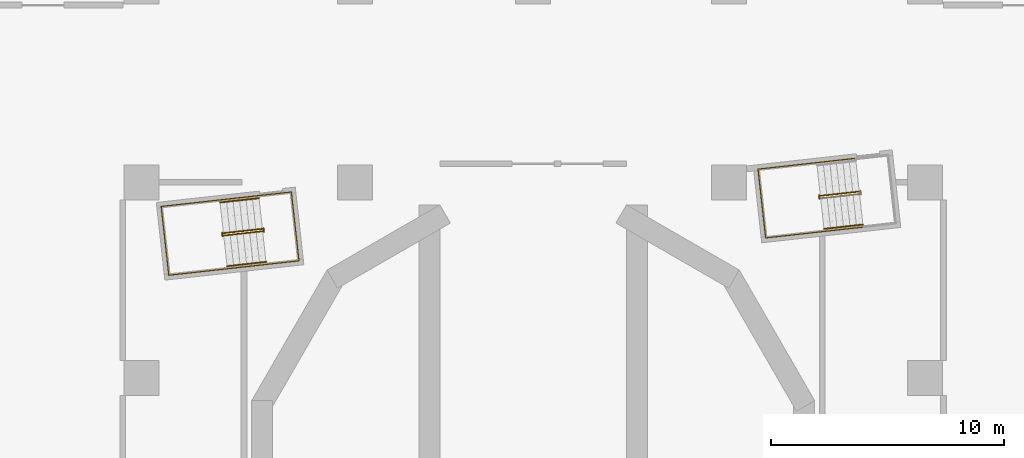
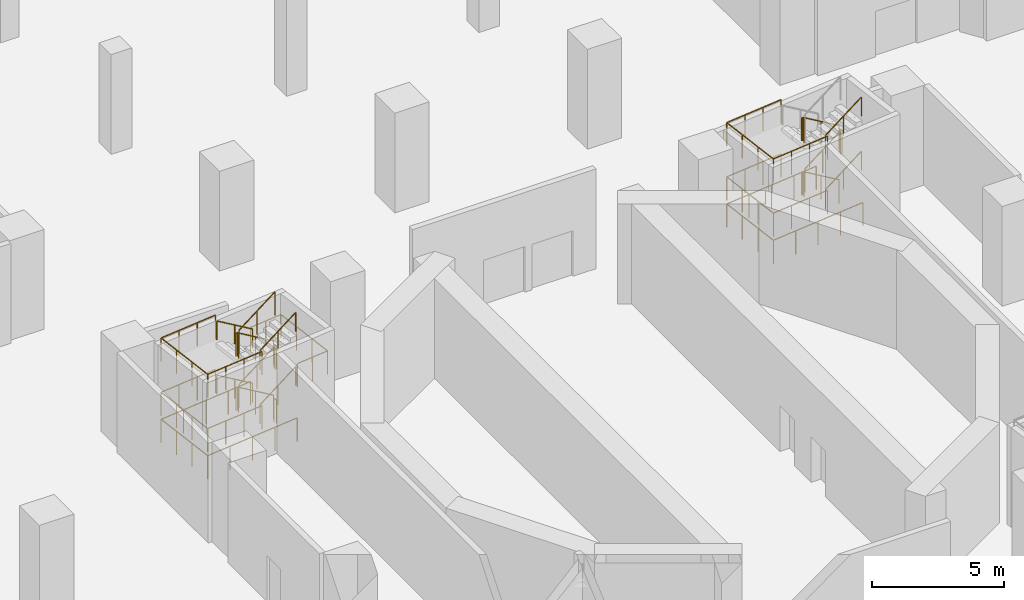
# One storey, part 15 of 20: 21 railings.
"""IFC4 building model written with IfcOpenShell, lengths in metres."""

import ifcopenshell
import ifcopenshell.guid

model = None  # the IFC model being written
_history = None  # IfcOwnerHistory: only IFC2X3 demands one
_inside = {}  # id of a spatial element -> (the spatial element, [elements in it])
_under = {}  # id of a project, library or spatial element -> (it, [spatial elements below it])
_declared = {}  # id of a project -> (the project, [libraries it declares])
_typed = {}  # id of a type object -> (the type object, [elements of that type])
_made_of = {}  # id of a material, layer set ... -> (it, [elements and type objects made of it])


def new_model(schema):
    """Start an empty IFC model of exactly this schema.

    Asked for "IFC4X3", IfcOpenShell would pick the latest addendum, in which some entities
    have other attributes; the version numbers below select the first issue.
    IFC2X3 requires an IfcOwnerHistory on every rooted entity: one is made here for all.
    """
    global model, _history
    if schema == "IFC4X3":
        model = ifcopenshell.file(schema_version=(4, 3, 0, 0))
    else:
        model = ifcopenshell.file(schema=schema)
    _inside.clear()
    _under.clear()
    _declared.clear()
    _typed.clear()
    _made_of.clear()
    _history = None
    if model.schema == "IFC2X3":
        org = make("IfcOrganization", Name="unknown")
        user = make(
            "IfcPersonAndOrganization",
            ThePerson=make("IfcPerson", FamilyName="unknown"),
            TheOrganization=org,
        )
        app = make(
            "IfcApplication",
            ApplicationDeveloper=org,
            Version="unknown",
            ApplicationFullName="unknown",
            ApplicationIdentifier="unknown",
        )
        _history = make(
            "IfcOwnerHistory",
            OwningUser=user,
            OwningApplication=app,
            ChangeAction="ADDED",
            CreationDate=0,
        )
    return model


def make(cls, **values):
    """One entity of the class cls with the attributes given. An attribute that is None is left unset."""
    return model.create_entity(
        cls, **{name: value for name, value in values.items() if value is not None}
    )


def rooted(cls, **values):
    """An entity with a GlobalId (a new one), such as an element, a storey or a relation."""
    return make(cls, GlobalId=ifcopenshell.guid.new(), OwnerHistory=_history, **values)


def si_unit(unit_type, name, prefix=None):
    """IfcSIUnit, for example si_unit("LENGTHUNIT", "METRE", prefix="MILLI")."""
    return make("IfcSIUnit", UnitType=unit_type, Prefix=prefix, Name=name)


def assignment(units):
    """IfcUnitAssignment: the units of a project."""
    return None if units is None else make("IfcUnitAssignment", Units=units)


def point(xyz):
    """IfcCartesianPoint."""
    return None if xyz is None else make("IfcCartesianPoint", Coordinates=xyz)


def direction(xyz):
    """IfcDirection."""
    return None if xyz is None else make("IfcDirection", DirectionRatios=xyz)


def frame(location, z_axis=None, x_axis=None):
    """IfcAxis2Placement3D, a coordinate frame: its origin and axes. An axis left out is left unset."""
    return make(
        "IfcAxis2Placement3D",
        Location=point(location),
        Axis=direction(z_axis),
        RefDirection=direction(x_axis),
    )


def frame_2d(location, x_axis=None):
    """IfcAxis2Placement2D, a coordinate frame in the plane: its origin and x axis."""
    return make(
        "IfcAxis2Placement2D", Location=point(location), RefDirection=direction(x_axis)
    )


def origin():
    """The frame at (0, 0, 0) with its axes left unset."""
    return frame((0.0, 0.0, 0.0))


def origin_2d():
    """The frame at (0, 0) in the plane with its x axis left unset."""
    return frame_2d((0.0, 0.0))


def place(relative_to, where):
    """IfcLocalPlacement: puts the frame where relative to a parent placement (None: the world)."""
    return make(
        "IfcLocalPlacement", PlacementRelTo=relative_to, RelativePlacement=where
    )


def context(
    kind, dimensions, precision=None, world=None, true_north=None, identifier=None
):
    """IfcGeometricRepresentationContext, for example the 3D "Model" context."""
    return make(
        "IfcGeometricRepresentationContext",
        ContextIdentifier=identifier,
        ContextType=kind,
        CoordinateSpaceDimension=dimensions,
        Precision=precision,
        WorldCoordinateSystem=world,
        TrueNorth=true_north,
    )


def subcontext(parent, identifier, kind, view, scale=None):
    """IfcGeometricRepresentationSubContext, for example "Body" below "Model"."""
    return make(
        "IfcGeometricRepresentationSubContext",
        ContextIdentifier=identifier,
        ContextType=kind,
        ParentContext=parent,
        TargetScale=scale,
        TargetView=view,
    )


def project(units=None, contexts=None):
    """IfcProject with its units and contexts."""
    return rooted(
        "IfcProject",
        Name="project",
        RepresentationContexts=contexts,
        UnitsInContext=assignment(units),
    )


def spatial(cls, under=None, at=None, **own):
    """A site, building, storey or space (cls), placed at a placement, below another one or the project."""
    s = rooted(cls, ObjectPlacement=at, **own)
    if under is not None:
        _under.setdefault(under.id(), (under, []))[1].append(s)
    return s


def profile(cls, at=None, kind="AREA", **sizes):
    """A parametric profile (cls). Its sizes go by their IFC names, for example OverallWidth=200.0."""
    return make(cls, ProfileType=kind, Position=at, **sizes)


def circle(**sizes):
    """IfcCircleProfileDef."""
    return profile("IfcCircleProfileDef", **sizes)


def extrude(swept, where, along, depth):
    """IfcExtrudedAreaSolid: the profile swept, set in the frame where, extruded along a direction by depth."""
    return make(
        "IfcExtrudedAreaSolid",
        SweptArea=swept,
        Position=where,
        ExtrudedDirection=direction(along),
        Depth=depth,
    )


def shape(context_of_items, identifier, shape_type, items):
    """IfcShapeRepresentation: the items that make up one representation, for example the "Body"."""
    return make(
        "IfcShapeRepresentation",
        ContextOfItems=context_of_items,
        RepresentationIdentifier=identifier,
        RepresentationType=shape_type,
        Items=items,
    )


def material(Name=None, Category=None):
    """IfcMaterial."""
    return make("IfcMaterial", Name=Name, Category=Category)


def made_of(thing, what):
    """Note that an element or type object is made of a material, layer set ...; save() writes the relation."""
    if what is not None:
        _made_of.setdefault(what.id(), (what, []))[1].append(thing)
    return thing


def type_object(cls, material=None, **own):
    """A type object (cls), such as IfcWallType, which elements share."""
    return made_of(rooted(cls, **own), material)


def element(
    cls,
    number,
    at=None,
    inside=None,
    cuts=None,
    type_object=None,
    material=None,
    context=None,
    identifier="Body",
    shape_type=None,
    held_by="IfcProductDefinitionShape",
    body=None,
    shapes=None,
    **own,
):
    """One element of the class cls, such as IfcWall. Its Tag is "e" and its number.

    at: its placement. inside: the storey or other place that contains it. cuts: it is an
    opening in that element (IfcRelVoidsElement). A single representation is given by context,
    identifier, shape_type and body (its items); several are given by shapes. held_by: the class
    of the entity that holds the representations. save() writes the other relations.
    """
    e = rooted(cls, Tag="e%d" % number, ObjectPlacement=at, **own)
    if body is not None:
        shapes = [shape(context, identifier, shape_type, body)]
    if shapes is not None:
        e.Representation = make(held_by, Representations=shapes)
    if inside is not None:
        _inside.setdefault(inside.id(), (inside, []))[1].append(e)
    if cuts is not None:
        rooted(
            "IfcRelVoidsElement", RelatingBuildingElement=cuts, RelatedOpeningElement=e
        )
    if type_object is not None:
        _typed.setdefault(type_object.id(), (type_object, []))[1].append(e)
    return made_of(e, material)


def aggregate(whole, parts):
    """IfcRelAggregates: a whole, such as a stair, and the parts it consists of."""
    return rooted("IfcRelAggregates", RelatingObject=whole, RelatedObjects=parts)


def save(model, path):
    """Write the relations noted so far, then the file.

    IfcRelAggregates (storeys below a building ...), IfcRelContainedInSpatialStructure (elements
    in a storey), IfcRelDefinesByType, IfcRelAssociatesMaterial and IfcRelDeclares: one each for
    every whole, place, type object, material and project.
    """
    for whole, parts in _under.values():
        aggregate(whole, parts)
    for where, things in _inside.values():
        rooted(
            "IfcRelContainedInSpatialStructure",
            RelatedElements=things,
            RelatingStructure=where,
        )
    for kind, things in _typed.values():
        rooted("IfcRelDefinesByType", RelatedObjects=things, RelatingType=kind)
    for what, things in _made_of.values():
        rooted("IfcRelAssociatesMaterial", RelatedObjects=things, RelatingMaterial=what)
    for by, libraries in _declared.values():
        rooted("IfcRelDeclares", RelatingContext=by, RelatedDefinitions=libraries)
    model.write(path)


model = new_model("IFC4")

# Units and contexts
model_context = context("Model", 3, precision=1e-05, world=origin(), true_north=direction((0.0, 1.0)))
body_context = subcontext(model_context, "Body", "Model", "MODEL_VIEW")
ifc_project = project(units=[si_unit("LENGTHUNIT", "METRE"), si_unit("AREAUNIT", "SQUARE_METRE"), si_unit("VOLUMEUNIT", "CUBIC_METRE"), si_unit("PLANEANGLEUNIT", "RADIAN"), si_unit("MASSUNIT", "GRAM", prefix="KILO")], contexts=[model_context])

# Site, building, storey
site_placement = place(None, origin())
site = spatial("IfcSite", under=ifc_project, at=site_placement, CompositionType="ELEMENT")
building_placement = place(site_placement, origin())
building = spatial("IfcBuilding", under=site, at=building_placement, Name="Cantera Rosa Tower", CompositionType="ELEMENT")
storey_placement = place(building_placement, frame((0.0, 0.0, -5.0)))
storey = spatial("IfcBuildingStorey", under=building, at=storey_placement, Name="B1", CompositionType="ELEMENT", Elevation=-5.0)

# Railings
ifc_material_1 = material(Name="Steel S355J2 (EN 10025-2)", Category="steel")
railing_type_1 = type_object("IfcRailingType", Name="STAIR GUARD 1100", PredefinedType="GUARDRAIL", material=ifc_material_1)
railing_1_placement = place(storey_placement, frame((13.986083984375, 12.203125, 0.178466796875)))
element("IfcRailing", 1, at=railing_1_placement, inside=storey, type_object=railing_type_1, Name="B1 ST-11 stair guard 1", PredefinedType="GUARDRAIL", context=body_context, shape_type="SweptSolid", body=[
    extrude(circle(Radius=0.02392578125, at=origin_2d()), frame((0.0, 0.0, 1.076171875), z_axis=(-0.837950904326, -0.092996744609, 0.537763784046), x_axis=(0.110303920128, -0.993897904819, 0.0)), (0.0, 0.0, 1.0), 1.99267578125),
    extrude(circle(Radius=0.02392578125, at=origin_2d()), frame((-1.669677734375, -0.185302734375, 2.1474609375), z_axis=(-0.933456941688, 0.358689472963, 0.0), x_axis=(-0.358689472963, -0.933456941688, 0.0)), (0.0, 0.0, 1.0), 0.056396484375),
    extrude(circle(Radius=0.02392578125, at=origin_2d()), frame((-1.722412109375, -0.1650390625, 2.1474609375), z_axis=(0.110789159685, -0.993843932464, 0.0), x_axis=(0.993843932464, 0.110789159685, 0.0)), (0.0, 0.0, 1.0), 0.14990234375),
    extrude(circle(Radius=0.02099609375, at=origin_2d()), origin(), (0.0, 0.0, 1.0), 1.052001953125),
    extrude(circle(Radius=0.02099609375, at=origin_2d()), frame((-0.8349609375, -0.0927734375, 0.53564453125)), (0.0, 0.0, 1.0), 1.052001953125),
    extrude(circle(Radius=0.02099609375, at=origin_2d()), frame((-1.669677734375, -0.185302734375, 1.071533203125)), (0.0, 0.0, 1.0), 1.052001953125),
    extrude(circle(Radius=0.02099609375, at=origin_2d()), frame((-1.722412109375, -0.1650390625, 1.071533203125)), (0.0, 0.0, 1.0), 1.052001953125),
    extrude(circle(Radius=0.02099609375, at=origin_2d()), frame((-1.705810546875, -0.31396484375, 1.071533203125)), (0.0, 0.0, 1.0), 1.052001953125),
])
railing_2_placement = place(storey_placement, frame((12.3271484375, 11.92041015625, 1.428466796875)))
element("IfcRailing", 2, at=railing_2_placement, inside=storey, type_object=railing_type_1, Name="B1 ST-11 stair guard 2", PredefinedType="GUARDRAIL", context=body_context, shape_type="SweptSolid", body=[
    extrude(circle(Radius=0.02392578125, at=origin_2d()), frame((0.0, 0.0, 1.076171875), z_axis=(0.837950904326, 0.092996744609, 0.537763784046), x_axis=(-0.110303920128, 0.993897904819, 0.0)), (0.0, 0.0, 1.0), 1.99267578125),
    extrude(circle(Radius=0.02392578125, at=origin_2d()), frame((1.669677734375, 0.185302734375, 2.1474609375), z_axis=(0.932897555956, -0.360141847183, 0.0), x_axis=(0.360141847183, 0.932897555956, 0.0)), (0.0, 0.0, 1.0), 0.05615234375),
    extrude(circle(Radius=0.02392578125, at=origin_2d()), frame((1.72216796875, 0.1650390625, 2.1474609375), z_axis=(-0.109179471459, 0.994022053584, 0.0), x_axis=(-0.994022053584, -0.109179471459, 0.0)), (0.0, 0.0, 1.0), 0.14990234375),
    extrude(circle(Radius=0.02099609375, at=origin_2d()), origin(), (0.0, 0.0, 1.0), 1.052001953125),
    extrude(circle(Radius=0.02099609375, at=origin_2d()), frame((0.8349609375, 0.0927734375, 0.53564453125)), (0.0, 0.0, 1.0), 1.052001953125),
    extrude(circle(Radius=0.02099609375, at=origin_2d()), frame((1.669677734375, 0.185302734375, 1.071533203125)), (0.0, 0.0, 1.0), 1.052001953125),
    extrude(circle(Radius=0.02099609375, at=origin_2d()), frame((1.72216796875, 0.1650390625, 1.071533203125)), (0.0, 0.0, 1.0), 1.052001953125),
    extrude(circle(Radius=0.02099609375, at=origin_2d()), frame((1.705810546875, 0.31396484375, 1.071533203125)), (0.0, 0.0, 1.0), 1.052001953125),
])
railing_3_placement = place(storey_placement, frame((13.986083984375, 12.203125, 2.678466796875)))
element("IfcRailing", 3, at=railing_3_placement, inside=storey, type_object=railing_type_1, Name="B1 ST-11 stair guard 3", PredefinedType="GUARDRAIL", context=body_context, shape_type="SweptSolid", body=[
    extrude(circle(Radius=0.02392578125, at=origin_2d()), frame((0.0, 0.0, 1.076171875), z_axis=(-0.837950904326, -0.092996744609, 0.537763784046), x_axis=(0.110303920128, -0.993897904819, 0.0)), (0.0, 0.0, 1.0), 1.99267578125),
    extrude(circle(Radius=0.02392578125, at=origin_2d()), frame((-1.669677734375, -0.185302734375, 2.1474609375), z_axis=(-0.933456941688, 0.358689472963, 0.0), x_axis=(-0.358689472963, -0.933456941688, 0.0)), (0.0, 0.0, 1.0), 0.056396484375),
    extrude(circle(Radius=0.02392578125, at=origin_2d()), frame((-1.722412109375, -0.1650390625, 2.1474609375), z_axis=(0.110789159685, -0.993843932464, 0.0), x_axis=(0.993843932464, 0.110789159685, 0.0)), (0.0, 0.0, 1.0), 0.14990234375),
    extrude(circle(Radius=0.02099609375, at=origin_2d()), origin(), (0.0, 0.0, 1.0), 1.052001953125),
    extrude(circle(Radius=0.02099609375, at=origin_2d()), frame((-0.8349609375, -0.0927734375, 0.53564453125)), (0.0, 0.0, 1.0), 1.052001953125),
    extrude(circle(Radius=0.02099609375, at=origin_2d()), frame((-1.669677734375, -0.185302734375, 1.071533203125)), (0.0, 0.0, 1.0), 1.052001953125),
    extrude(circle(Radius=0.02099609375, at=origin_2d()), frame((-1.722412109375, -0.1650390625, 1.071533203125)), (0.0, 0.0, 1.0), 1.052001953125),
    extrude(circle(Radius=0.02099609375, at=origin_2d()), frame((-1.705810546875, -0.31396484375, 1.071533203125)), (0.0, 0.0, 1.0), 1.052001953125),
])
railing_4_placement = place(storey_placement, frame((13.815673828125, 13.629150390625, 0.0)))
element("IfcRailing", 4, at=railing_4_placement, inside=storey, type_object=railing_type_1, Name="B1 ST-11 stair guard 6", PredefinedType="GUARDRAIL", context=body_context, shape_type="SweptSolid", body=[
    extrude(circle(Radius=0.02392578125, at=origin_2d()), frame((0.0, 0.0, 1.076171875), z_axis=(-0.9938957856, -0.110323013767, 0.0), x_axis=(0.110323013767, -0.9938957856, 0.0)), (0.0, 0.0, 1.0), 4.197998046875),
    extrude(circle(Radius=0.02392578125, at=origin_2d()), frame((-4.17236328125, -0.463134765625, 1.076171875), z_axis=(0.110314237986, -0.993896759678, 0.0), x_axis=(0.993896759678, 0.110314237986, 0.0)), (0.0, 0.0, 1.0), 2.969970703125),
    extrude(circle(Radius=0.02392578125, at=origin_2d()), frame((-3.8447265625, -3.4150390625, 1.076171875), z_axis=(0.9938957856, 0.110323013767, 0.0), x_axis=(-0.110323013767, 0.9938957856, 0.0)), (0.0, 0.0, 1.0), 4.197998046875),
    extrude(circle(Radius=0.02099609375, at=origin_2d()), origin(), (0.0, 0.0, 1.0), 1.052001953125),
    extrude(circle(Radius=0.02099609375, at=origin_2d()), frame((-1.04296875, -0.11572265625, 0.0)), (0.0, 0.0, 1.0), 1.052001953125),
    extrude(circle(Radius=0.02099609375, at=origin_2d()), frame((-2.086181640625, -0.2314453125, 0.0)), (0.0, 0.0, 1.0), 1.052001953125),
    extrude(circle(Radius=0.02099609375, at=origin_2d()), frame((-3.12939453125, -0.347412109375, 0.0)), (0.0, 0.0, 1.0), 1.052001953125),
    extrude(circle(Radius=0.02099609375, at=origin_2d()), frame((-4.17236328125, -0.463134765625, 0.0)), (0.0, 0.0, 1.0), 1.052001953125),
    extrude(circle(Radius=0.02099609375, at=origin_2d()), frame((-4.063232421875, -1.447021484375, 0.0)), (0.0, 0.0, 1.0), 1.052001953125),
    extrude(circle(Radius=0.02099609375, at=origin_2d()), frame((-3.953857421875, -2.43115234375, 0.0)), (0.0, 0.0, 1.0), 1.052001953125),
    extrude(circle(Radius=0.02099609375, at=origin_2d()), frame((-3.8447265625, -3.4150390625, 0.0)), (0.0, 0.0, 1.0), 1.052001953125),
    extrude(circle(Radius=0.02099609375, at=origin_2d()), frame((-2.8017578125, -3.29931640625, 0.0)), (0.0, 0.0, 1.0), 1.052001953125),
    extrude(circle(Radius=0.02099609375, at=origin_2d()), frame((-1.758544921875, -3.18359375, 0.0)), (0.0, 0.0, 1.0), 1.052001953125),
    extrude(circle(Radius=0.02099609375, at=origin_2d()), frame((-0.71533203125, -3.067626953125, 0.0)), (0.0, 0.0, 1.0), 1.052001953125),
    extrude(circle(Radius=0.02099609375, at=origin_2d()), frame((0.32763671875, -2.951904296875, 0.0)), (0.0, 0.0, 1.0), 1.052001953125),
])
railing_5_placement = place(storey_placement, frame((12.169921875, 13.4462890625, 1.25)))
element("IfcRailing", 5, at=railing_5_placement, inside=storey, type_object=railing_type_1, Name="B1 ST-11 stair guard 7", PredefinedType="GUARDRAIL", context=body_context, shape_type="SweptSolid", body=[
    extrude(circle(Radius=0.02392578125, at=origin_2d()), frame((0.0, 0.0, 1.076171875), z_axis=(-0.993903628964, -0.110252330278, 0.0), x_axis=(0.110252330278, -0.993903628964, 0.0)), (0.0, 0.0, 1.0), 2.5419921875),
    extrude(circle(Radius=0.02392578125, at=origin_2d()), frame((-2.526611328125, -0.2802734375, 1.076171875), z_axis=(0.110314237986, -0.993896759678, 0.0), x_axis=(0.993896759678, 0.110314237986, 0.0)), (0.0, 0.0, 1.0), 2.969970703125),
    extrude(circle(Radius=0.02392578125, at=origin_2d()), frame((-2.198974609375, -3.232177734375, 1.076171875), z_axis=(0.993903628964, 0.110252330278, 0.0), x_axis=(-0.110252330278, 0.993903628964, 0.0)), (0.0, 0.0, 1.0), 2.5419921875),
    extrude(circle(Radius=0.02099609375, at=origin_2d()), origin(), (0.0, 0.0, 1.0), 1.052001953125),
    extrude(circle(Radius=0.02099609375, at=origin_2d()), frame((-0.84228515625, -0.093505859375, 0.0)), (0.0, 0.0, 1.0), 1.052001953125),
    extrude(circle(Radius=0.02099609375, at=origin_2d()), frame((-1.684326171875, -0.186767578125, 0.0)), (0.0, 0.0, 1.0), 1.052001953125),
    extrude(circle(Radius=0.02099609375, at=origin_2d()), frame((-2.526611328125, -0.2802734375, 0.0)), (0.0, 0.0, 1.0), 1.052001953125),
    extrude(circle(Radius=0.02099609375, at=origin_2d()), frame((-2.41748046875, -1.26416015625, 0.0)), (0.0, 0.0, 1.0), 1.052001953125),
    extrude(circle(Radius=0.02099609375, at=origin_2d()), frame((-2.30810546875, -2.248291015625, 0.0)), (0.0, 0.0, 1.0), 1.052001953125),
    extrude(circle(Radius=0.02099609375, at=origin_2d()), frame((-2.198974609375, -3.232177734375, 0.0)), (0.0, 0.0, 1.0), 1.052001953125),
    extrude(circle(Radius=0.02099609375, at=origin_2d()), frame((-1.356689453125, -3.138671875, 0.0)), (0.0, 0.0, 1.0), 1.052001953125),
    extrude(circle(Radius=0.02099609375, at=origin_2d()), frame((-0.5146484375, -3.04541015625, 0.0)), (0.0, 0.0, 1.0), 1.052001953125),
    extrude(circle(Radius=0.02099609375, at=origin_2d()), frame((0.32763671875, -2.951904296875, 0.0)), (0.0, 0.0, 1.0), 1.052001953125),
])
railing_6_placement = place(storey_placement, frame((12.169921875, 13.4462890625, 3.75)))
element("IfcRailing", 6, at=railing_6_placement, inside=storey, type_object=railing_type_1, Name="B1 ST-11 stair guard 9", PredefinedType="GUARDRAIL", context=body_context, shape_type="SweptSolid", body=[
    extrude(circle(Radius=0.02392578125, at=origin_2d()), frame((0.0, 0.0, 1.076171875), z_axis=(-0.993903628964, -0.110252330278, 0.0), x_axis=(0.110252330278, -0.993903628964, 0.0)), (0.0, 0.0, 1.0), 2.5419921875),
    extrude(circle(Radius=0.02392578125, at=origin_2d()), frame((-2.526611328125, -0.2802734375, 1.076171875), z_axis=(0.110314237986, -0.993896759678, 0.0), x_axis=(0.993896759678, 0.110314237986, 0.0)), (0.0, 0.0, 1.0), 2.969970703125),
    extrude(circle(Radius=0.02392578125, at=origin_2d()), frame((-2.198974609375, -3.232177734375, 1.076171875), z_axis=(0.993903628964, 0.110252330278, 0.0), x_axis=(-0.110252330278, 0.993903628964, 0.0)), (0.0, 0.0, 1.0), 2.5419921875),
    extrude(circle(Radius=0.02099609375, at=origin_2d()), origin(), (0.0, 0.0, 1.0), 1.052001953125),
    extrude(circle(Radius=0.02099609375, at=origin_2d()), frame((-0.84228515625, -0.093505859375, 0.0)), (0.0, 0.0, 1.0), 1.052001953125),
    extrude(circle(Radius=0.02099609375, at=origin_2d()), frame((-1.684326171875, -0.186767578125, 0.0)), (0.0, 0.0, 1.0), 1.052001953125),
    extrude(circle(Radius=0.02099609375, at=origin_2d()), frame((-2.526611328125, -0.2802734375, 0.0)), (0.0, 0.0, 1.0), 1.052001953125),
    extrude(circle(Radius=0.02099609375, at=origin_2d()), frame((-2.41748046875, -1.26416015625, 0.0)), (0.0, 0.0, 1.0), 1.052001953125),
    extrude(circle(Radius=0.02099609375, at=origin_2d()), frame((-2.30810546875, -2.248291015625, 0.0)), (0.0, 0.0, 1.0), 1.052001953125),
    extrude(circle(Radius=0.02099609375, at=origin_2d()), frame((-2.198974609375, -3.232177734375, 0.0)), (0.0, 0.0, 1.0), 1.052001953125),
    extrude(circle(Radius=0.02099609375, at=origin_2d()), frame((-1.356689453125, -3.138671875, 0.0)), (0.0, 0.0, 1.0), 1.052001953125),
    extrude(circle(Radius=0.02099609375, at=origin_2d()), frame((-0.5146484375, -3.04541015625, 0.0)), (0.0, 0.0, 1.0), 1.052001953125),
    extrude(circle(Radius=0.02099609375, at=origin_2d()), frame((0.32763671875, -2.951904296875, 0.0)), (0.0, 0.0, 1.0), 1.052001953125),
])
railing_7_placement = place(storey_placement, frame((-11.614013671875, 10.60302734375, 0.178466796875)))
element("IfcRailing", 7, at=railing_7_placement, inside=storey, type_object=railing_type_1, Name="B1 ST-12 stair guard 1", PredefinedType="GUARDRAIL", context=body_context, shape_type="SweptSolid", body=[
    extrude(circle(Radius=0.02392578125, at=origin_2d()), frame((0.0, 0.0, 1.076171875), z_axis=(-0.837950904326, -0.092996744609, 0.537763784046), x_axis=(0.110303920128, -0.993897904819, 0.0)), (0.0, 0.0, 1.0), 1.99267578125),
    extrude(circle(Radius=0.02392578125, at=origin_2d()), frame((-1.669677734375, -0.185302734375, 2.1474609375), z_axis=(-0.931434406233, 0.363909256389, 0.0), x_axis=(-0.363909256389, -0.931434406233, 0.0)), (0.0, 0.0, 1.0), 0.056396484375),
    extrude(circle(Radius=0.02392578125, at=origin_2d()), frame((-1.72216796875, -0.164794921875, 2.1474609375), z_axis=(0.1090029065, -0.994041430915, 0.0), x_axis=(0.994041430915, 0.1090029065, 0.0)), (0.0, 0.0, 1.0), 0.150146484375),
    extrude(circle(Radius=0.02099609375, at=origin_2d()), origin(), (0.0, 0.0, 1.0), 1.052001953125),
    extrude(circle(Radius=0.02099609375, at=origin_2d()), frame((-0.8349609375, -0.0927734375, 0.53564453125)), (0.0, 0.0, 1.0), 1.052001953125),
    extrude(circle(Radius=0.02099609375, at=origin_2d()), frame((-1.669677734375, -0.185302734375, 1.071533203125)), (0.0, 0.0, 1.0), 1.052001953125),
    extrude(circle(Radius=0.02099609375, at=origin_2d()), frame((-1.72216796875, -0.164794921875, 1.071533203125)), (0.0, 0.0, 1.0), 1.052001953125),
    extrude(circle(Radius=0.02099609375, at=origin_2d()), frame((-1.705810546875, -0.31396484375, 1.071533203125)), (0.0, 0.0, 1.0), 1.052001953125),
])
railing_8_placement = place(storey_placement, frame((-13.27294921875, 10.3203125, 1.428466796875)))
element("IfcRailing", 8, at=railing_8_placement, inside=storey, type_object=railing_type_1, Name="B1 ST-12 stair guard 2", PredefinedType="GUARDRAIL", context=body_context, shape_type="SweptSolid", body=[
    extrude(circle(Radius=0.02392578125, at=origin_2d()), frame((0.0, 0.0, 1.076171875), z_axis=(0.837987391448, 0.092987197384, 0.537708576179), x_axis=(-0.11028798999, 0.993899672635, 0.0)), (0.0, 0.0, 1.0), 1.99267578125),
    extrude(circle(Radius=0.02392578125, at=origin_2d()), frame((1.669921875, 0.185302734375, 2.1474609375), z_axis=(0.932897555956, -0.360141847183, 0.0), x_axis=(0.360141847183, 0.932897555956, 0.0)), (0.0, 0.0, 1.0), 0.05615234375),
    extrude(circle(Radius=0.02392578125, at=origin_2d()), frame((1.722412109375, 0.1650390625, 2.1474609375), z_axis=(-0.110610055588, 0.993863881828, 0.0), x_axis=(-0.993863881828, -0.110610055588, 0.0)), (0.0, 0.0, 1.0), 0.150146484375),
    extrude(circle(Radius=0.02099609375, at=origin_2d()), origin(), (0.0, 0.0, 1.0), 1.052001953125),
    extrude(circle(Radius=0.02099609375, at=origin_2d()), frame((0.8349609375, 0.0927734375, 0.53564453125)), (0.0, 0.0, 1.0), 1.052001953125),
    extrude(circle(Radius=0.02099609375, at=origin_2d()), frame((1.669921875, 0.185302734375, 1.071533203125)), (0.0, 0.0, 1.0), 1.052001953125),
    extrude(circle(Radius=0.02099609375, at=origin_2d()), frame((1.722412109375, 0.1650390625, 1.071533203125)), (0.0, 0.0, 1.0), 1.052001953125),
    extrude(circle(Radius=0.02099609375, at=origin_2d()), frame((1.705810546875, 0.314208984375, 1.071533203125)), (0.0, 0.0, 1.0), 1.052001953125),
])
railing_9_placement = place(storey_placement, frame((-11.614013671875, 10.60302734375, 2.678466796875)))
element("IfcRailing", 9, at=railing_9_placement, inside=storey, type_object=railing_type_1, Name="B1 ST-12 stair guard 3", PredefinedType="GUARDRAIL", context=body_context, shape_type="SweptSolid", body=[
    extrude(circle(Radius=0.02392578125, at=origin_2d()), frame((0.0, 0.0, 1.076171875), z_axis=(-0.837950904326, -0.092996744609, 0.537763784046), x_axis=(0.110303920128, -0.993897904819, 0.0)), (0.0, 0.0, 1.0), 1.99267578125),
    extrude(circle(Radius=0.02392578125, at=origin_2d()), frame((-1.669677734375, -0.185302734375, 2.1474609375), z_axis=(-0.931434406233, 0.363909256389, 0.0), x_axis=(-0.363909256389, -0.931434406233, 0.0)), (0.0, 0.0, 1.0), 0.056396484375),
    extrude(circle(Radius=0.02392578125, at=origin_2d()), frame((-1.72216796875, -0.164794921875, 2.1474609375), z_axis=(0.1090029065, -0.994041430915, 0.0), x_axis=(0.994041430915, 0.1090029065, 0.0)), (0.0, 0.0, 1.0), 0.150146484375),
    extrude(circle(Radius=0.02099609375, at=origin_2d()), origin(), (0.0, 0.0, 1.0), 1.052001953125),
    extrude(circle(Radius=0.02099609375, at=origin_2d()), frame((-0.8349609375, -0.0927734375, 0.53564453125)), (0.0, 0.0, 1.0), 1.052001953125),
    extrude(circle(Radius=0.02099609375, at=origin_2d()), frame((-1.669677734375, -0.185302734375, 1.071533203125)), (0.0, 0.0, 1.0), 1.052001953125),
    extrude(circle(Radius=0.02099609375, at=origin_2d()), frame((-1.72216796875, -0.164794921875, 1.071533203125)), (0.0, 0.0, 1.0), 1.052001953125),
    extrude(circle(Radius=0.02099609375, at=origin_2d()), frame((-1.705810546875, -0.31396484375, 1.071533203125)), (0.0, 0.0, 1.0), 1.052001953125),
])
railing_10_placement = place(storey_placement, frame((-13.27294921875, 10.3203125, 3.928466796875)))
element("IfcRailing", 10, at=railing_10_placement, inside=storey, type_object=railing_type_1, Name="B1 ST-12 stair guard 4", PredefinedType="GUARDRAIL", context=body_context, shape_type="SweptSolid", body=[
    extrude(circle(Radius=0.02392578125, at=origin_2d()), frame((0.0, 0.0, 1.076171875), z_axis=(0.837987391448, 0.092987197384, 0.537708576179), x_axis=(-0.11028798999, 0.993899672635, 0.0)), (0.0, 0.0, 1.0), 1.99267578125),
    extrude(circle(Radius=0.02099609375, at=origin_2d()), origin(), (0.0, 0.0, 1.0), 1.052001953125),
    extrude(circle(Radius=0.02099609375, at=origin_2d()), frame((0.8349609375, 0.0927734375, 0.53564453125)), (0.0, 0.0, 1.0), 1.052001953125),
    extrude(circle(Radius=0.02099609375, at=origin_2d()), frame((1.669921875, 0.185302734375, 1.071533203125)), (0.0, 0.0, 1.0), 1.052001953125),
])
railing_11_placement = place(storey_placement, frame((-11.567138671875, 10.634521484375, 0.0)))
element("IfcRailing", 11, at=railing_11_placement, inside=storey, type_object=railing_type_1, Name="B1 ST-12 stair guard 5", PredefinedType="GUARDRAIL", context=body_context, shape_type="SweptSolid", body=[
    extrude(circle(Radius=0.02392578125, at=origin_2d()), frame((0.0, 0.0, 1.076171875), z_axis=(0.110610055588, -0.993863881828, 0.0), x_axis=(0.993863881828, 0.110610055588, 0.0)), (0.0, 0.0, 1.0), 0.150146484375),
    extrude(circle(Radius=0.02099609375, at=origin_2d()), origin(), (0.0, 0.0, 1.0), 1.052001953125),
    extrude(circle(Radius=0.02099609375, at=origin_2d()), frame((0.0166015625, -0.149169921875, 0.0)), (0.0, 0.0, 1.0), 1.052001953125),
])
railing_12_placement = place(storey_placement, frame((-11.7841796875, 12.029052734375, 0.0)))
element("IfcRailing", 12, at=railing_12_placement, inside=storey, type_object=railing_type_1, Name="B1 ST-12 stair guard 6", PredefinedType="GUARDRAIL", context=body_context, shape_type="SweptSolid", body=[
    extrude(circle(Radius=0.02392578125, at=origin_2d()), frame((0.0, 0.0, 1.076171875), z_axis=(-0.9938957856, -0.110323013767, 0.0), x_axis=(0.110323013767, -0.9938957856, 0.0)), (0.0, 0.0, 1.0), 4.197998046875),
    extrude(circle(Radius=0.02392578125, at=origin_2d()), frame((-4.17236328125, -0.463134765625, 1.076171875), z_axis=(0.11023303584, -0.99390576908, 0.0), x_axis=(0.99390576908, 0.11023303584, 0.0)), (0.0, 0.0, 1.0), 2.969970703125),
    extrude(circle(Radius=0.02392578125, at=origin_2d()), frame((-3.844970703125, -3.4150390625, 1.076171875), z_axis=(0.993896493372, 0.11031663729, 0.0), x_axis=(-0.11031663729, 0.993896493372, 0.0)), (0.0, 0.0, 1.0), 4.1982421875),
    extrude(circle(Radius=0.02099609375, at=origin_2d()), origin(), (0.0, 0.0, 1.0), 1.052001953125),
    extrude(circle(Radius=0.02099609375, at=origin_2d()), frame((-1.04296875, -0.11572265625, 0.0)), (0.0, 0.0, 1.0), 1.052001953125),
    extrude(circle(Radius=0.02099609375, at=origin_2d()), frame((-2.086181640625, -0.2314453125, 0.0)), (0.0, 0.0, 1.0), 1.052001953125),
    extrude(circle(Radius=0.02099609375, at=origin_2d()), frame((-3.12939453125, -0.347412109375, 0.0)), (0.0, 0.0, 1.0), 1.052001953125),
    extrude(circle(Radius=0.02099609375, at=origin_2d()), frame((-4.17236328125, -0.463134765625, 0.0)), (0.0, 0.0, 1.0), 1.052001953125),
    extrude(circle(Radius=0.02099609375, at=origin_2d()), frame((-4.063232421875, -1.447021484375, 0.0)), (0.0, 0.0, 1.0), 1.052001953125),
    extrude(circle(Radius=0.02099609375, at=origin_2d()), frame((-3.9541015625, -2.43115234375, 0.0)), (0.0, 0.0, 1.0), 1.052001953125),
    extrude(circle(Radius=0.02099609375, at=origin_2d()), frame((-3.844970703125, -3.4150390625, 0.0)), (0.0, 0.0, 1.0), 1.052001953125),
    extrude(circle(Radius=0.02099609375, at=origin_2d()), frame((-2.8017578125, -3.29931640625, 0.0)), (0.0, 0.0, 1.0), 1.052001953125),
    extrude(circle(Radius=0.02099609375, at=origin_2d()), frame((-1.7587890625, -3.18359375, 0.0)), (0.0, 0.0, 1.0), 1.052001953125),
    extrude(circle(Radius=0.02099609375, at=origin_2d()), frame((-0.715576171875, -3.067626953125, 0.0)), (0.0, 0.0, 1.0), 1.052001953125),
    extrude(circle(Radius=0.02099609375, at=origin_2d()), frame((0.32763671875, -2.951904296875, 0.0)), (0.0, 0.0, 1.0), 1.052001953125),
])
railing_13_placement = place(storey_placement, frame((-13.43017578125, 11.846435546875, 1.25)))
element("IfcRailing", 13, at=railing_13_placement, inside=storey, type_object=railing_type_1, Name="B1 ST-12 stair guard 7", PredefinedType="GUARDRAIL", context=body_context, shape_type="SweptSolid", body=[
    extrude(circle(Radius=0.02392578125, at=origin_2d()), frame((0.0, 0.0, 1.076171875), z_axis=(-0.993891931048, -0.110357733743, 0.0), x_axis=(0.110357733743, -0.993891931048, 0.0)), (0.0, 0.0, 1.0), 2.5419921875),
    extrude(circle(Radius=0.02392578125, at=origin_2d()), frame((-2.5263671875, -0.280517578125, 1.076171875), z_axis=(0.11023303584, -0.99390576908, 0.0), x_axis=(0.99390576908, 0.11023303584, 0.0)), (0.0, 0.0, 1.0), 2.969970703125),
    extrude(circle(Radius=0.02392578125, at=origin_2d()), frame((-2.198974609375, -3.232421875, 1.076171875), z_axis=(0.993893100618, 0.110347199982, 0.0), x_axis=(-0.110347199982, 0.993893100618, 0.0)), (0.0, 0.0, 1.0), 2.542236328125),
    extrude(circle(Radius=0.02099609375, at=origin_2d()), origin(), (0.0, 0.0, 1.0), 1.052001953125),
    extrude(circle(Radius=0.02099609375, at=origin_2d()), frame((-0.842041015625, -0.093505859375, 0.0)), (0.0, 0.0, 1.0), 1.052001953125),
    extrude(circle(Radius=0.02099609375, at=origin_2d()), frame((-1.684326171875, -0.18701171875, 0.0)), (0.0, 0.0, 1.0), 1.052001953125),
    extrude(circle(Radius=0.02099609375, at=origin_2d()), frame((-2.5263671875, -0.280517578125, 0.0)), (0.0, 0.0, 1.0), 1.052001953125),
    extrude(circle(Radius=0.02099609375, at=origin_2d()), frame((-2.417236328125, -1.264404296875, 0.0)), (0.0, 0.0, 1.0), 1.052001953125),
    extrude(circle(Radius=0.02099609375, at=origin_2d()), frame((-2.30810546875, -2.24853515625, 0.0)), (0.0, 0.0, 1.0), 1.052001953125),
    extrude(circle(Radius=0.02099609375, at=origin_2d()), frame((-2.198974609375, -3.232421875, 0.0)), (0.0, 0.0, 1.0), 1.052001953125),
    extrude(circle(Radius=0.02099609375, at=origin_2d()), frame((-1.356689453125, -3.138916015625, 0.0)), (0.0, 0.0, 1.0), 1.052001953125),
    extrude(circle(Radius=0.02099609375, at=origin_2d()), frame((-0.5146484375, -3.04541015625, 0.0)), (0.0, 0.0, 1.0), 1.052001953125),
    extrude(circle(Radius=0.02099609375, at=origin_2d()), frame((0.32763671875, -2.951904296875, 0.0)), (0.0, 0.0, 1.0), 1.052001953125),
])
railing_14_placement = place(storey_placement, frame((-11.7841796875, 12.029052734375, 2.5)))
element("IfcRailing", 14, at=railing_14_placement, inside=storey, type_object=railing_type_1, Name="B1 ST-12 stair guard 8", PredefinedType="GUARDRAIL", context=body_context, shape_type="SweptSolid", body=[
    extrude(circle(Radius=0.02392578125, at=origin_2d()), frame((0.0, 0.0, 1.076171875), z_axis=(0.993887921413, 0.110393838913, 0.0), x_axis=(-0.110393838913, 0.993887921413, 0.0)), (0.0, 0.0, 1.0), 1.422119140625),
    extrude(circle(Radius=0.02392578125, at=origin_2d()), frame((1.413330078125, 0.156982421875, 1.076171875), z_axis=(0.11023303584, -0.99390576908, 0.0), x_axis=(0.99390576908, 0.11023303584, 0.0)), (0.0, 0.0, 1.0), 2.969970703125),
    extrude(circle(Radius=0.02392578125, at=origin_2d()), frame((1.74072265625, -2.794921875, 1.076171875), z_axis=(-0.993885828579, -0.110412679298, 0.0), x_axis=(0.110412679298, -0.993885828579, 0.0)), (0.0, 0.0, 1.0), 1.421875),
    extrude(circle(Radius=0.02099609375, at=origin_2d()), origin(), (0.0, 0.0, 1.0), 1.052001953125),
    extrude(circle(Radius=0.02099609375, at=origin_2d()), frame((0.70654296875, 0.07861328125, 0.0)), (0.0, 0.0, 1.0), 1.052001953125),
    extrude(circle(Radius=0.02099609375, at=origin_2d()), frame((1.413330078125, 0.156982421875, 0.0)), (0.0, 0.0, 1.0), 1.052001953125),
    extrude(circle(Radius=0.02099609375, at=origin_2d()), frame((1.5224609375, -0.826904296875, 0.0)), (0.0, 0.0, 1.0), 1.052001953125),
    extrude(circle(Radius=0.02099609375, at=origin_2d()), frame((1.631591796875, -1.81103515625, 0.0)), (0.0, 0.0, 1.0), 1.052001953125),
    extrude(circle(Radius=0.02099609375, at=origin_2d()), frame((1.74072265625, -2.794921875, 0.0)), (0.0, 0.0, 1.0), 1.052001953125),
    extrude(circle(Radius=0.02099609375, at=origin_2d()), frame((1.0341796875, -2.87353515625, 0.0)), (0.0, 0.0, 1.0), 1.052001953125),
    extrude(circle(Radius=0.02099609375, at=origin_2d()), frame((0.32763671875, -2.951904296875, 0.0)), (0.0, 0.0, 1.0), 1.052001953125),
])
railing_15_placement = place(storey_placement, frame((-13.43017578125, 11.846435546875, 3.75)))
element("IfcRailing", 15, at=railing_15_placement, inside=storey, type_object=railing_type_1, Name="B1 ST-12 stair guard 9", PredefinedType="GUARDRAIL", context=body_context, shape_type="SweptSolid", body=[
    extrude(circle(Radius=0.02392578125, at=origin_2d()), frame((0.0, 0.0, 1.076171875), z_axis=(-0.993891931048, -0.110357733743, 0.0), x_axis=(0.110357733743, -0.993891931048, 0.0)), (0.0, 0.0, 1.0), 2.5419921875),
    extrude(circle(Radius=0.02392578125, at=origin_2d()), frame((-2.5263671875, -0.280517578125, 1.076171875), z_axis=(0.11023303584, -0.99390576908, 0.0), x_axis=(0.99390576908, 0.11023303584, 0.0)), (0.0, 0.0, 1.0), 2.969970703125),
    extrude(circle(Radius=0.02392578125, at=origin_2d()), frame((-2.198974609375, -3.232421875, 1.076171875), z_axis=(0.993893100618, 0.110347199982, 0.0), x_axis=(-0.110347199982, 0.993893100618, 0.0)), (0.0, 0.0, 1.0), 2.542236328125),
    extrude(circle(Radius=0.02099609375, at=origin_2d()), origin(), (0.0, 0.0, 1.0), 1.052001953125),
    extrude(circle(Radius=0.02099609375, at=origin_2d()), frame((-0.842041015625, -0.093505859375, 0.0)), (0.0, 0.0, 1.0), 1.052001953125),
    extrude(circle(Radius=0.02099609375, at=origin_2d()), frame((-1.684326171875, -0.18701171875, 0.0)), (0.0, 0.0, 1.0), 1.052001953125),
    extrude(circle(Radius=0.02099609375, at=origin_2d()), frame((-2.5263671875, -0.280517578125, 0.0)), (0.0, 0.0, 1.0), 1.052001953125),
    extrude(circle(Radius=0.02099609375, at=origin_2d()), frame((-2.417236328125, -1.264404296875, 0.0)), (0.0, 0.0, 1.0), 1.052001953125),
    extrude(circle(Radius=0.02099609375, at=origin_2d()), frame((-2.30810546875, -2.24853515625, 0.0)), (0.0, 0.0, 1.0), 1.052001953125),
    extrude(circle(Radius=0.02099609375, at=origin_2d()), frame((-2.198974609375, -3.232421875, 0.0)), (0.0, 0.0, 1.0), 1.052001953125),
    extrude(circle(Radius=0.02099609375, at=origin_2d()), frame((-1.356689453125, -3.138916015625, 0.0)), (0.0, 0.0, 1.0), 1.052001953125),
    extrude(circle(Radius=0.02099609375, at=origin_2d()), frame((-0.5146484375, -3.04541015625, 0.0)), (0.0, 0.0, 1.0), 1.052001953125),
    extrude(circle(Radius=0.02099609375, at=origin_2d()), frame((0.32763671875, -2.951904296875, 0.0)), (0.0, 0.0, 1.0), 1.052001953125),
])
ifc_material_2 = material(Name="Steel S355J2 (EN 10025-2)", Category="steel")
railing_type_2 = type_object("IfcRailingType", Name="STAIR HANDRAIL 900", PredefinedType="HANDRAIL", material=ifc_material_2)
for number, where, name in (
    (16, (12.473388671875, 10.6025390625, 1.428466796875), "B1 ST-11 stair handrail 2"),
    (17, (12.473388671875, 10.6025390625, 3.928466796875), "B1 ST-11 stair handrail 4"),
):
    element("IfcRailing", number, at=place(storey_placement, frame(where)), inside=storey, type_object=railing_type_2, Name=name, PredefinedType="HANDRAIL", context=body_context, shape_type="SweptSolid", body=[
        extrude(circle(Radius=0.02392578125, at=origin_2d()), frame((0.0, 0.0, 0.8759765625), z_axis=(0.837950904326, 0.092996744609, 0.537763784046), x_axis=(-0.110303920128, 0.993897904819, 0.0)), (0.0, 0.0, 1.0), 1.99267578125),
        extrude(circle(Radius=0.02099609375, at=origin_2d()), origin(), (0.0, 0.0, 1.0), 0.851806640625),
        extrude(circle(Radius=0.02099609375, at=origin_2d()), frame((0.8349609375, 0.0927734375, 0.53564453125)), (0.0, 0.0, 1.0), 0.851806640625),
        extrude(circle(Radius=0.02099609375, at=origin_2d()), frame((1.669677734375, 0.185302734375, 1.071533203125)), (0.0, 0.0, 1.0), 0.851806640625),
    ])
railing_16_placement = place(storey_placement, frame((-11.76025390625, 11.921142578125, 0.178466796875)))
element("IfcRailing", 18, at=railing_16_placement, inside=storey, type_object=railing_type_2, Name="B1 ST-12 stair handrail 1", PredefinedType="HANDRAIL", context=body_context, shape_type="SweptSolid", body=[
    extrude(circle(Radius=0.02392578125, at=origin_2d()), frame((0.0, 0.0, 0.8759765625), z_axis=(-0.837950904326, -0.092996744609, 0.537763784046), x_axis=(0.110303920128, -0.993897904819, 0.0)), (0.0, 0.0, 1.0), 1.99267578125),
    extrude(circle(Radius=0.02099609375, at=origin_2d()), origin(), (0.0, 0.0, 1.0), 0.851806640625),
    extrude(circle(Radius=0.02099609375, at=origin_2d()), frame((-0.8349609375, -0.0927734375, 0.53564453125)), (0.0, 0.0, 1.0), 0.851806640625),
    extrude(circle(Radius=0.02099609375, at=origin_2d()), frame((-1.669677734375, -0.185302734375, 1.071533203125)), (0.0, 0.0, 1.0), 0.851806640625),
])
railing_17_placement = place(storey_placement, frame((-13.126708984375, 9.00244140625, 1.428466796875)))
element("IfcRailing", 19, at=railing_17_placement, inside=storey, type_object=railing_type_2, Name="B1 ST-12 stair handrail 2", PredefinedType="HANDRAIL", context=body_context, shape_type="SweptSolid", body=[
    extrude(circle(Radius=0.02392578125, at=origin_2d()), frame((0.0, 0.0, 0.8759765625), z_axis=(0.837987391448, 0.092987197384, 0.537708576179), x_axis=(-0.11028798999, 0.993899672635, 0.0)), (0.0, 0.0, 1.0), 1.99267578125),
    extrude(circle(Radius=0.02099609375, at=origin_2d()), origin(), (0.0, 0.0, 1.0), 0.851806640625),
    extrude(circle(Radius=0.02099609375, at=origin_2d()), frame((0.8349609375, 0.0927734375, 0.53564453125)), (0.0, 0.0, 1.0), 0.851806640625),
    extrude(circle(Radius=0.02099609375, at=origin_2d()), frame((1.669921875, 0.185302734375, 1.071533203125)), (0.0, 0.0, 1.0), 0.851806640625),
])
railing_18_placement = place(storey_placement, frame((-11.76025390625, 11.921142578125, 2.678466796875)))
element("IfcRailing", 20, at=railing_18_placement, inside=storey, type_object=railing_type_2, Name="B1 ST-12 stair handrail 3", PredefinedType="HANDRAIL", context=body_context, shape_type="SweptSolid", body=[
    extrude(circle(Radius=0.02392578125, at=origin_2d()), frame((0.0, 0.0, 0.8759765625), z_axis=(-0.837950904326, -0.092996744609, 0.537763784046), x_axis=(0.110303920128, -0.993897904819, 0.0)), (0.0, 0.0, 1.0), 1.99267578125),
    extrude(circle(Radius=0.02099609375, at=origin_2d()), origin(), (0.0, 0.0, 1.0), 0.851806640625),
    extrude(circle(Radius=0.02099609375, at=origin_2d()), frame((-0.8349609375, -0.0927734375, 0.53564453125)), (0.0, 0.0, 1.0), 0.851806640625),
    extrude(circle(Radius=0.02099609375, at=origin_2d()), frame((-1.669677734375, -0.185302734375, 1.071533203125)), (0.0, 0.0, 1.0), 0.851806640625),
])
railing_19_placement = place(storey_placement, frame((-13.126708984375, 9.00244140625, 3.928466796875)))
element("IfcRailing", 21, at=railing_19_placement, inside=storey, type_object=railing_type_2, Name="B1 ST-12 stair handrail 4", PredefinedType="HANDRAIL", context=body_context, shape_type="SweptSolid", body=[
    extrude(circle(Radius=0.02392578125, at=origin_2d()), frame((0.0, 0.0, 0.8759765625), z_axis=(0.837987391448, 0.092987197384, 0.537708576179), x_axis=(-0.11028798999, 0.993899672635, 0.0)), (0.0, 0.0, 1.0), 1.99267578125),
    extrude(circle(Radius=0.02099609375, at=origin_2d()), origin(), (0.0, 0.0, 1.0), 0.851806640625),
    extrude(circle(Radius=0.02099609375, at=origin_2d()), frame((0.8349609375, 0.0927734375, 0.53564453125)), (0.0, 0.0, 1.0), 0.851806640625),
    extrude(circle(Radius=0.02099609375, at=origin_2d()), frame((1.669921875, 0.185302734375, 1.071533203125)), (0.0, 0.0, 1.0), 0.851806640625),
])

save(model, "model.ifc")
